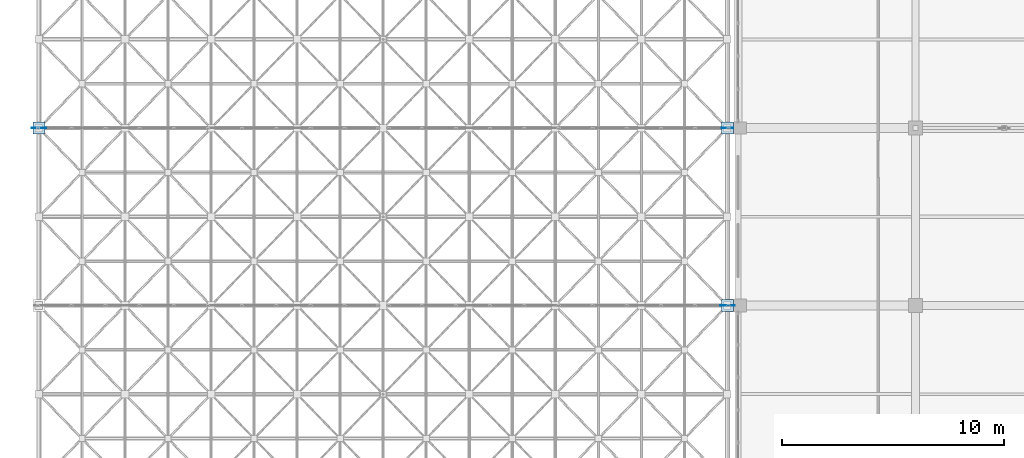
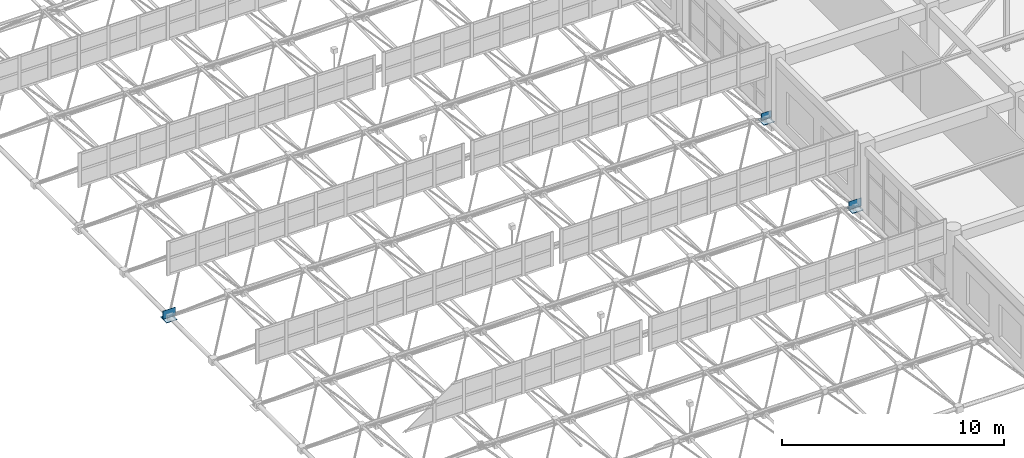
# One storey, part 158 of 195: 6 plates.
"""IFC4 building model written with IfcOpenShell, lengths in metres."""

from ifc_helpers import new_model, si_unit, direction, frame, origin, origin_2d, place, context, subcontext, project, spatial, rectangle, extrude, material, type_object, element, save


model = new_model("IFC4")

# Units and contexts
model_context = context("Model", 3, precision=1e-05, world=origin(), true_north=direction((0.0, 1.0)))
body_context = subcontext(model_context, "Body", "Model", "MODEL_VIEW")
ifc_project = project(units=[si_unit("LENGTHUNIT", "METRE"), si_unit("AREAUNIT", "SQUARE_METRE"), si_unit("VOLUMEUNIT", "CUBIC_METRE"), si_unit("PLANEANGLEUNIT", "RADIAN"), si_unit("MASSUNIT", "GRAM", prefix="KILO")], contexts=[model_context])

# Site, building, storey
site_placement = place(None, origin())
site = spatial("IfcSite", under=ifc_project, at=site_placement, CompositionType="ELEMENT")
building_placement = place(site_placement, origin())
building = spatial("IfcBuilding", under=site, at=building_placement, Name="Kharva Crest Polytechnic", CompositionType="ELEMENT")
storey_placement = place(building_placement, frame((0.0, 0.0, 9.0)))
storey = spatial("IfcBuildingStorey", under=building, at=storey_placement, Name="L02", CompositionType="ELEMENT", Elevation=9.0)

# Plates
ifc_material = material(Name="Steel S355", Category="steel")
plate_type_1 = type_object("IfcPlateType", Name="PLT-BASE-550X550X28", PredefinedType="USERDEFINED", material=ifc_material)
for number, where, z_axis, x_axis, name in (
    (1, (0.47998046875, 62.800048828125, 0.4658203125), (0.0, 0.0, 1.0), (1.0, 0.0, 0.0), "Space Frame Bearing Seat Plate 0-6"),
    (2, (31.52001953125, 54.800048828125, 0.4658203125), (0.0, 0.0, 1.0), (1.0, 0.0, 0.0), "Space Frame Bearing Seat Plate 8-4"),
    (3, (31.52001953125, 62.800048828125, 0.4658203125), (0.0, 0.0, 1.0), (1.0, 0.0, 0.0), "Space Frame Bearing Seat Plate 8-6"),
):
    element("IfcPlate", number, at=place(storey_placement, frame(where, z_axis=z_axis, x_axis=x_axis)), inside=storey, type_object=plate_type_1, Name=name, ObjectType="BASE PLATE", PredefinedType="USERDEFINED", context=body_context, shape_type="SweptSolid", body=[
        extrude(rectangle(XDim=0.550048828125, YDim=0.550048828125, at=origin_2d()), origin(), (0.0, 0.0, 1.0), 0.028076171875),
    ])
plate_type_2 = type_object("IfcPlateType", Name="PLT-GUS-520X380X16", PredefinedType="USERDEFINED", material=ifc_material)
plate_placement = place(storey_placement, frame((31.52001953125, 62.800048828125, 0.570068359375), z_axis=(0.0, 0.0, 1.0), x_axis=(1.0, 0.0, 0.0)))
element("IfcPlate", 4, at=plate_placement, inside=storey, type_object=plate_type_2, Name="Space Frame Node Gusset Plate 8-6", ObjectType="GUSSET PLATE", PredefinedType="USERDEFINED", context=body_context, shape_type="SweptSolid", body=[
    extrude(rectangle(XDim=0.52001953125, YDim=0.01611328125, at=origin_2d()), origin(), (0.0, 0.0, 1.0), 0.3798828125),
])
plate_type_3 = type_object("IfcPlateType", Name="PLT-GUS-650X450X20", PredefinedType="USERDEFINED", material=ifc_material)
for number, where, z_axis, x_axis, name in (
    (5, (0.47998046875, 62.800048828125, 0.53515625), (0.0, 0.0, 1.0), (1.0, 0.0, 0.0), "Space Frame Node Gusset Plate 0-6"),
    (6, (31.52001953125, 54.800048828125, 0.53515625), (0.0, 0.0, 1.0), (1.0, 0.0, 0.0), "Space Frame Node Gusset Plate 8-4"),
):
    element("IfcPlate", number, at=place(storey_placement, frame(where, z_axis=z_axis, x_axis=x_axis)), inside=storey, type_object=plate_type_3, Name=name, ObjectType="GUSSET PLATE", PredefinedType="USERDEFINED", context=body_context, shape_type="SweptSolid", body=[
        extrude(rectangle(XDim=0.64990234375, YDim=0.02001953125, at=origin_2d()), origin(), (0.0, 0.0, 1.0), 0.449951171875),
    ])

save(model, "model.ifc")
